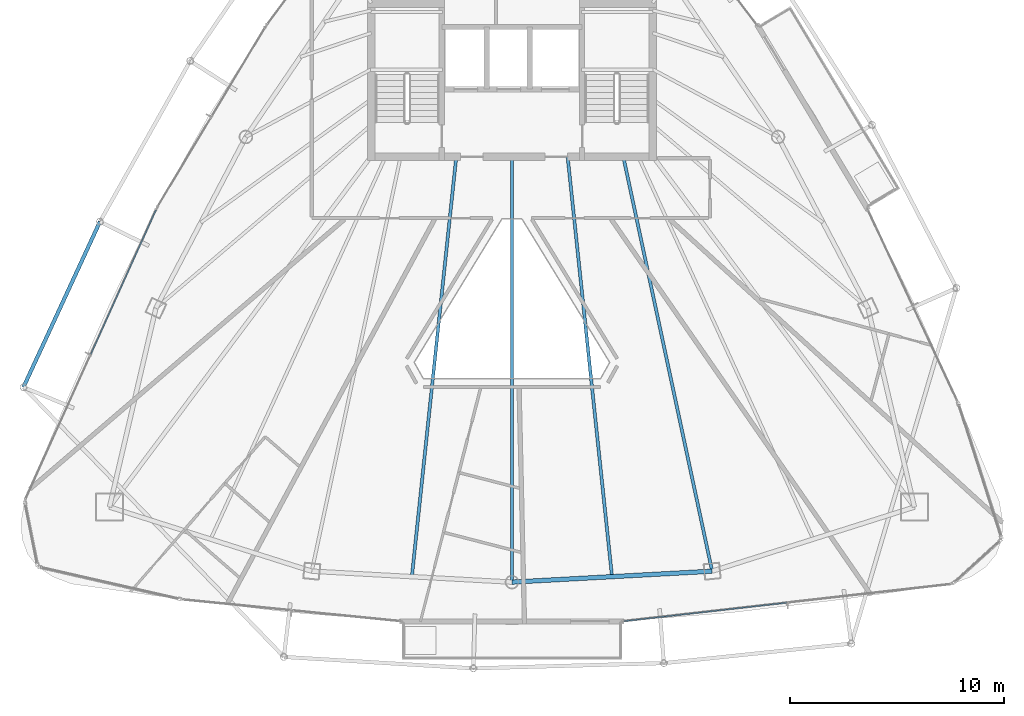
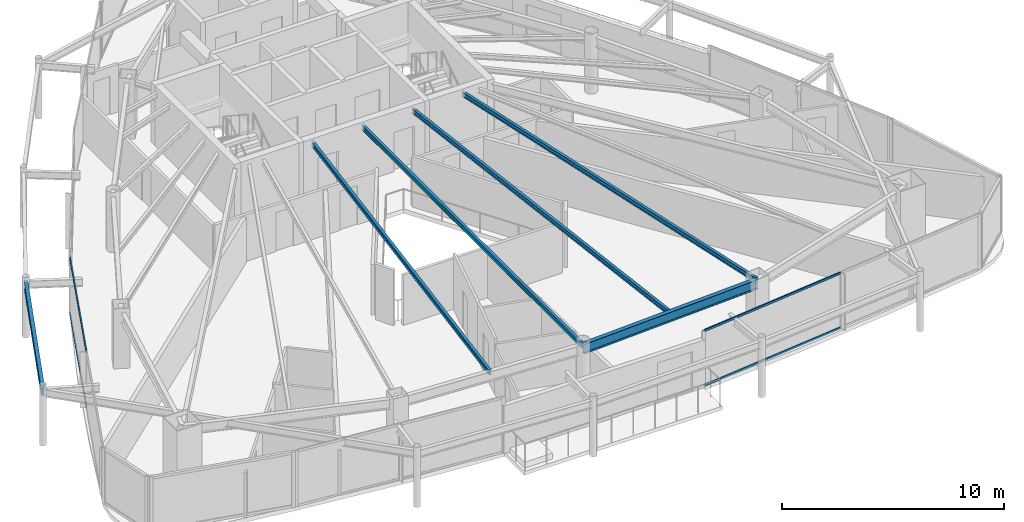
# One storey, part 9 of 30: 6 beams, 4 members, 2 elements without a shape of their own.
"""IFC4 building model written with IfcOpenShell, lengths in metres."""

import ifcopenshell
import ifcopenshell.guid

model = None  # the IFC model being written
_history = None  # IfcOwnerHistory: only IFC2X3 demands one
_inside = {}  # id of a spatial element -> (the spatial element, [elements in it])
_under = {}  # id of a project, library or spatial element -> (it, [spatial elements below it])
_declared = {}  # id of a project -> (the project, [libraries it declares])
_typed = {}  # id of a type object -> (the type object, [elements of that type])
_made_of = {}  # id of a material, layer set ... -> (it, [elements and type objects made of it])


def new_model(schema):
    """Start an empty IFC model of exactly this schema.

    Asked for "IFC4X3", IfcOpenShell would pick the latest addendum, in which some entities
    have other attributes; the version numbers below select the first issue.
    IFC2X3 requires an IfcOwnerHistory on every rooted entity: one is made here for all.
    """
    global model, _history
    if schema == "IFC4X3":
        model = ifcopenshell.file(schema_version=(4, 3, 0, 0))
    else:
        model = ifcopenshell.file(schema=schema)
    _inside.clear()
    _under.clear()
    _declared.clear()
    _typed.clear()
    _made_of.clear()
    _history = None
    if model.schema == "IFC2X3":
        org = make("IfcOrganization", Name="unknown")
        user = make(
            "IfcPersonAndOrganization",
            ThePerson=make("IfcPerson", FamilyName="unknown"),
            TheOrganization=org,
        )
        app = make(
            "IfcApplication",
            ApplicationDeveloper=org,
            Version="unknown",
            ApplicationFullName="unknown",
            ApplicationIdentifier="unknown",
        )
        _history = make(
            "IfcOwnerHistory",
            OwningUser=user,
            OwningApplication=app,
            ChangeAction="ADDED",
            CreationDate=0,
        )
    return model


def make(cls, **values):
    """One entity of the class cls with the attributes given. An attribute that is None is left unset."""
    return model.create_entity(
        cls, **{name: value for name, value in values.items() if value is not None}
    )


def rooted(cls, **values):
    """An entity with a GlobalId (a new one), such as an element, a storey or a relation."""
    return make(cls, GlobalId=ifcopenshell.guid.new(), OwnerHistory=_history, **values)


def si_unit(unit_type, name, prefix=None):
    """IfcSIUnit, for example si_unit("LENGTHUNIT", "METRE", prefix="MILLI")."""
    return make("IfcSIUnit", UnitType=unit_type, Prefix=prefix, Name=name)


def assignment(units):
    """IfcUnitAssignment: the units of a project."""
    return None if units is None else make("IfcUnitAssignment", Units=units)


def point(xyz):
    """IfcCartesianPoint."""
    return None if xyz is None else make("IfcCartesianPoint", Coordinates=xyz)


def direction(xyz):
    """IfcDirection."""
    return None if xyz is None else make("IfcDirection", DirectionRatios=xyz)


def frame(location, z_axis=None, x_axis=None):
    """IfcAxis2Placement3D, a coordinate frame: its origin and axes. An axis left out is left unset."""
    return make(
        "IfcAxis2Placement3D",
        Location=point(location),
        Axis=direction(z_axis),
        RefDirection=direction(x_axis),
    )


def frame_2d(location, x_axis=None):
    """IfcAxis2Placement2D, a coordinate frame in the plane: its origin and x axis."""
    return make(
        "IfcAxis2Placement2D", Location=point(location), RefDirection=direction(x_axis)
    )


def origin():
    """The frame at (0, 0, 0) with its axes left unset."""
    return frame((0.0, 0.0, 0.0))


def origin_2d():
    """The frame at (0, 0) in the plane with its x axis left unset."""
    return frame_2d((0.0, 0.0))


def place(relative_to, where):
    """IfcLocalPlacement: puts the frame where relative to a parent placement (None: the world)."""
    return make(
        "IfcLocalPlacement", PlacementRelTo=relative_to, RelativePlacement=where
    )


def context(
    kind, dimensions, precision=None, world=None, true_north=None, identifier=None
):
    """IfcGeometricRepresentationContext, for example the 3D "Model" context."""
    return make(
        "IfcGeometricRepresentationContext",
        ContextIdentifier=identifier,
        ContextType=kind,
        CoordinateSpaceDimension=dimensions,
        Precision=precision,
        WorldCoordinateSystem=world,
        TrueNorth=true_north,
    )


def subcontext(parent, identifier, kind, view, scale=None):
    """IfcGeometricRepresentationSubContext, for example "Body" below "Model"."""
    return make(
        "IfcGeometricRepresentationSubContext",
        ContextIdentifier=identifier,
        ContextType=kind,
        ParentContext=parent,
        TargetScale=scale,
        TargetView=view,
    )


def project(units=None, contexts=None):
    """IfcProject with its units and contexts."""
    return rooted(
        "IfcProject",
        Name="project",
        RepresentationContexts=contexts,
        UnitsInContext=assignment(units),
    )


def spatial(cls, under=None, at=None, **own):
    """A site, building, storey or space (cls), placed at a placement, below another one or the project."""
    s = rooted(cls, ObjectPlacement=at, **own)
    if under is not None:
        _under.setdefault(under.id(), (under, []))[1].append(s)
    return s


def profile(cls, at=None, kind="AREA", **sizes):
    """A parametric profile (cls). Its sizes go by their IFC names, for example OverallWidth=200.0."""
    return make(cls, ProfileType=kind, Position=at, **sizes)


def hollow_rectangle(**sizes):
    """IfcRectangleHollowProfileDef."""
    return profile("IfcRectangleHollowProfileDef", **sizes)


def i_section(**sizes):
    """IfcIShapeProfileDef."""
    return profile("IfcIShapeProfileDef", **sizes)


def extrude(swept, where, along, depth):
    """IfcExtrudedAreaSolid: the profile swept, set in the frame where, extruded along a direction by depth."""
    return make(
        "IfcExtrudedAreaSolid",
        SweptArea=swept,
        Position=where,
        ExtrudedDirection=direction(along),
        Depth=depth,
    )


def shape(context_of_items, identifier, shape_type, items):
    """IfcShapeRepresentation: the items that make up one representation, for example the "Body"."""
    return make(
        "IfcShapeRepresentation",
        ContextOfItems=context_of_items,
        RepresentationIdentifier=identifier,
        RepresentationType=shape_type,
        Items=items,
    )


def material(Name=None, Category=None):
    """IfcMaterial."""
    return make("IfcMaterial", Name=Name, Category=Category)


def layer(
    of_material, thickness, ventilated=None, Name=None, Category=None, Priority=None
):
    """IfcMaterialLayer: one layer of a wall or slab, of a material (None: an air gap)."""
    return make(
        "IfcMaterialLayer",
        Material=of_material,
        LayerThickness=thickness,
        IsVentilated=ventilated,
        Name=Name,
        Category=Category,
        Priority=Priority,
    )


def layer_set(layers, Name=None):
    """IfcMaterialLayerSet."""
    return make("IfcMaterialLayerSet", MaterialLayers=layers, LayerSetName=Name)


def material_profile(
    of_material, cross_section, Name=None, Category=None, Priority=None
):
    """IfcMaterialProfile: a cross section and its material."""
    return make(
        "IfcMaterialProfile",
        Name=Name,
        Material=of_material,
        Profile=cross_section,
        Priority=Priority,
        Category=Category,
    )


def profile_set(profiles, Name=None, composite=None):
    """IfcMaterialProfileSet."""
    return make(
        "IfcMaterialProfileSet",
        Name=Name,
        MaterialProfiles=profiles,
        CompositeProfile=composite,
    )


def made_of(thing, what):
    """Note that an element or type object is made of a material, layer set ...; save() writes the relation."""
    if what is not None:
        _made_of.setdefault(what.id(), (what, []))[1].append(thing)
    return thing


def type_object(cls, material=None, **own):
    """A type object (cls), such as IfcWallType, which elements share."""
    return made_of(rooted(cls, **own), material)


def element(
    cls,
    number,
    at=None,
    inside=None,
    cuts=None,
    type_object=None,
    material=None,
    context=None,
    identifier="Body",
    shape_type=None,
    held_by="IfcProductDefinitionShape",
    body=None,
    shapes=None,
    **own,
):
    """One element of the class cls, such as IfcWall. Its Tag is "e" and its number.

    at: its placement. inside: the storey or other place that contains it. cuts: it is an
    opening in that element (IfcRelVoidsElement). A single representation is given by context,
    identifier, shape_type and body (its items); several are given by shapes. held_by: the class
    of the entity that holds the representations. save() writes the other relations.
    """
    e = rooted(cls, Tag="e%d" % number, ObjectPlacement=at, **own)
    if body is not None:
        shapes = [shape(context, identifier, shape_type, body)]
    if shapes is not None:
        e.Representation = make(held_by, Representations=shapes)
    if inside is not None:
        _inside.setdefault(inside.id(), (inside, []))[1].append(e)
    if cuts is not None:
        rooted(
            "IfcRelVoidsElement", RelatingBuildingElement=cuts, RelatedOpeningElement=e
        )
    if type_object is not None:
        _typed.setdefault(type_object.id(), (type_object, []))[1].append(e)
    return made_of(e, material)


def aggregate(whole, parts):
    """IfcRelAggregates: a whole, such as a stair, and the parts it consists of."""
    return rooted("IfcRelAggregates", RelatingObject=whole, RelatedObjects=parts)


def save(model, path):
    """Write the relations noted so far, then the file.

    IfcRelAggregates (storeys below a building ...), IfcRelContainedInSpatialStructure (elements
    in a storey), IfcRelDefinesByType, IfcRelAssociatesMaterial and IfcRelDeclares: one each for
    every whole, place, type object, material and project.
    """
    for whole, parts in _under.values():
        aggregate(whole, parts)
    for where, things in _inside.values():
        rooted(
            "IfcRelContainedInSpatialStructure",
            RelatedElements=things,
            RelatingStructure=where,
        )
    for kind, things in _typed.values():
        rooted("IfcRelDefinesByType", RelatedObjects=things, RelatingType=kind)
    for what, things in _made_of.values():
        rooted("IfcRelAssociatesMaterial", RelatedObjects=things, RelatingMaterial=what)
    for by, libraries in _declared.values():
        rooted("IfcRelDeclares", RelatingContext=by, RelatedDefinitions=libraries)
    model.write(path)


model = new_model("IFC4")

# Units and contexts
model_context = context("Model", 3, precision=1e-05, world=origin(), true_north=direction((0.0, 1.0)))
body_context = subcontext(model_context, "Body", "Model", "MODEL_VIEW")
ifc_project = project(units=[si_unit("LENGTHUNIT", "METRE"), si_unit("AREAUNIT", "SQUARE_METRE"), si_unit("VOLUMEUNIT", "CUBIC_METRE"), si_unit("PLANEANGLEUNIT", "RADIAN"), si_unit("MASSUNIT", "GRAM", prefix="KILO")], contexts=[model_context])

# Site, building, storey
site_placement = place(None, origin())
site = spatial("IfcSite", under=ifc_project, at=site_placement, CompositionType="ELEMENT")
building_placement = place(site_placement, origin())
building = spatial("IfcBuilding", under=site, at=building_placement, Name="Orvanel Arch Residences", CompositionType="ELEMENT")
storey_placement = place(building_placement, frame((0.0, 0.0, 229.39990234375)))
storey = spatial("IfcBuildingStorey", under=building, at=storey_placement, Name="L65", CompositionType="ELEMENT", Elevation=229.39990234375)

# Beams
ifc_material_1 = material(Name="Structural steel AS/NZS 3679.1 Grade 300 (300 MPa)", Category="steel")
ifc_material_profile_1 = material_profile(ifc_material_1, i_section(OverallWidth=0.14599609375, OverallDepth=0.251953125, WebThickness=0.006103515625, FlangeThickness=0.008544921875, at=origin_2d()), Name="250UB31.4")
ifc_profile_set_1 = profile_set([ifc_material_profile_1], Name="Structural steel AS/NZS 3679.1 Grade 300 (300 MPa)")
beam_type_1 = type_object("IfcBeamType", Name="BJ-250UB", PredefinedType="JOIST", material=ifc_profile_set_1)
beam_1_placement = place(storey_placement, frame((38.199951171875, 26.72509765625, 2.93408203125), z_axis=(0.209547604985, -0.977798446125, 0.0), x_axis=(0.977798446125, 0.209547604985, 0.0)))
element("IfcBeam", 1, at=beam_1_placement, inside=storey, type_object=beam_type_1, Name="L65 SE Wing Floor Joist", PredefinedType="JOIST", context=body_context, shape_type="SweptSolid", body=[
    extrude(i_section(OverallWidth=0.14599609375, OverallDepth=0.251953125, WebThickness=0.006103515625, FlangeThickness=0.008544921875, at=origin_2d()), origin(), (0.0, 0.0, 1.0), 19.809814453125),
])
beam_2_placement = place(storey_placement, frame((33.0, 26.72509765625, 2.93408203125), z_axis=(0.0, -1.0, 0.0), x_axis=(1.0, 0.0, 0.0)))
element("IfcBeam", 2, at=beam_2_placement, inside=storey, type_object=beam_type_1, Name="L65 SSW Wing Floor Joist", PredefinedType="JOIST", context=body_context, shape_type="SweptSolid", body=[
    extrude(i_section(OverallWidth=0.14599609375, OverallDepth=0.251953125, WebThickness=0.006103515625, FlangeThickness=0.008544921875, at=origin_2d()), origin(), (0.0, 0.0, 1.0), 19.881103515625),
])
for number, where, z_axis, x_axis, name in (
    (3, (30.39990234375, 26.72509765625, 2.93408203125), (-0.105143936131, -0.994457014, 0.0), (0.994457014, -0.105143936131, 0.0), "L65 WSW2 Wing Floor Joist"),
    (4, (35.60009765625, 26.72509765625, 2.93408203125), (0.105143936131, -0.994457014, 0.0), (0.994457014, 0.105143936131, 0.0), "L65 ESE2 Wing Floor Joist"),
):
    element("IfcBeam", number, at=place(storey_placement, frame(where, z_axis=z_axis, x_axis=x_axis)), inside=storey, type_object=beam_type_1, Name=name, PredefinedType="JOIST", context=body_context, shape_type="SweptSolid", body=[
        extrude(i_section(OverallWidth=0.14599609375, OverallDepth=0.251953125, WebThickness=0.006103515625, FlangeThickness=0.008544921875, at=origin_2d()), origin(), (0.0, 0.0, 1.0), 19.734375),
    ])
ifc_material_profile_2 = material_profile(ifc_material_1, i_section(OverallWidth=0.177978515625, OverallDepth=0.406005859375, WebThickness=0.0078125, FlangeThickness=0.0126953125, at=origin_2d()), Name="410UB59.7")
ifc_profile_set_2 = profile_set([ifc_material_profile_2], Name="Structural steel AS/NZS 3679.1 Grade 300 (300 MPa)")
beam_type_2 = type_object("IfcBeamType", Name="OB-410UB-EXT", PredefinedType="SPANDREL", material=ifc_profile_set_2)
beam_3_placement = place(storey_placement, frame((13.751953125, 23.681884765625, 2.857177734375), z_axis=(-0.419434455083, -0.907785623311, 0.0), x_axis=(0.907785623311, -0.419434455083, 0.0)))
element("IfcBeam", 5, at=beam_3_placement, inside=storey, type_object=beam_type_2, Name="L65 Outer Perimeter Floor Ring Beam 03", PredefinedType="SPANDREL", context=body_context, shape_type="SweptSolid", body=[
    extrude(i_section(OverallWidth=0.177978515625, OverallDepth=0.406005859375, WebThickness=0.0078125, FlangeThickness=0.0126953125, at=origin_2d()), origin(), (0.0, 0.0, 1.0), 8.516357421875),
])
ifc_material_profile_3 = material_profile(ifc_material_1, i_section(OverallWidth=0.208984375, OverallDepth=0.532958984375, WebThickness=0.01025390625, FlangeThickness=0.015625, at=origin_2d()), Name="530UB92.4")
ifc_profile_set_3 = profile_set([ifc_material_profile_3], Name="Structural steel AS/NZS 3679.1 Grade 300 (300 MPa)")
beam_type_3 = type_object("IfcBeamType", Name="SP-530UB", PredefinedType="SPANDREL", material=ifc_profile_set_3)
beam_4_placement = place(storey_placement, frame((33.0, 6.843994140625, 2.794189453125), z_axis=(0.998510315598, 0.054563262768, 0.0), x_axis=(-0.054563262768, 0.998510315598, 0.0)))
element("IfcBeam", 6, at=beam_4_placement, inside=storey, type_object=beam_type_3, Name="L65 Perimeter Spandrel Beam 04", PredefinedType="SPANDREL", context=body_context, shape_type="SweptSolid", body=[
    extrude(i_section(OverallWidth=0.208984375, OverallDepth=0.532958984375, WebThickness=0.01025390625, FlangeThickness=0.015625, at=origin_2d()), origin(), (0.0, 0.0, 1.0), 9.364990234375),
])

# Curtain wall, members
ifc_material_2 = material(Name="Bronze-anodised aluminium AA6063-T6", Category="aluminium")
ifc_layer = layer(ifc_material_2, 0.175048828125)
ifc_layer_set = layer_set([ifc_layer], Name="Bronze-anodised aluminium AA6063-T6")
curtain_wall_type = type_object("IfcCurtainWallType", Name="CW4-HI-SYS", PredefinedType="NOTDEFINED", material=ifc_layer_set)
curtain_wall_1_placement = place(storey_placement, origin())
curtain_wall_1 = element("IfcCurtainWall", 7, at=curtain_wall_1_placement, inside=storey, type_object=curtain_wall_type, Name="L65 CW4-HI-SYS Unitised Curtain Wall", PredefinedType="NOTDEFINED")
ifc_material_profile_4 = material_profile(ifc_material_2, hollow_rectangle(XDim=0.06005859375, YDim=0.1201171875, WallThickness=0.00341796875, at=origin_2d()), Name="ALU120x60x3.5")
ifc_profile_set_4 = profile_set([ifc_material_profile_4], Name="Bronze-anodised aluminium AA6063-T6")
member_type = type_object("IfcMemberType", Name="TRN-120x60", PredefinedType="USERDEFINED", material=ifc_profile_set_4)
member_1_placement = place(storey_placement, frame((16.3671875, 24.230712890625, 0.030029296875), z_axis=(-0.411121754868, -0.91158044224, 0.0), x_axis=(0.91158044224, -0.411121754868, 0.0)))
member_1 = element("IfcMember", 8, at=member_1_placement, type_object=member_type, Name="CW-S4 transom 1.1", ObjectType="TRANSOM", PredefinedType="USERDEFINED", context=body_context, shape_type="SweptSolid", body=[
    extrude(hollow_rectangle(XDim=0.06005859375, YDim=0.1201171875, WallThickness=0.00341796875, at=origin_2d()), origin(), (0.0, 0.0, 1.0), 7.38671875),
])
member_2_placement = place(storey_placement, frame((16.3671875, 24.230712890625, 3.030029296875), z_axis=(-0.411121754868, -0.91158044224, 0.0), x_axis=(0.91158044224, -0.411121754868, 0.0)))
member_2 = element("IfcMember", 9, at=member_2_placement, type_object=member_type, Name="CW-S4 transom 1.2", ObjectType="TRANSOM", PredefinedType="USERDEFINED", context=body_context, shape_type="SweptSolid", body=[
    extrude(hollow_rectangle(XDim=0.06005859375, YDim=0.1201171875, WallThickness=0.00341796875, at=origin_2d()), origin(), (0.0, 0.0, 1.0), 7.38671875),
])
aggregate(curtain_wall_1, [member_1, member_2])

curtain_wall_2_placement = place(storey_placement, origin())
curtain_wall_2 = element("IfcCurtainWall", 10, at=curtain_wall_2_placement, inside=storey, type_object=curtain_wall_type, Name="L65 CW4-HI-SYS Unitised Curtain Wall", PredefinedType="NOTDEFINED")
member_3_placement = place(storey_placement, frame((38.228515625, 5.020263671875, 0.030029296875), z_axis=(0.993641990336, 0.112585945127, 0.0), x_axis=(-0.112585945127, 0.993641990336, 0.0)))
member_3 = element("IfcMember", 11, at=member_3_placement, type_object=member_type, Name="CW-S4 transom 1.1", ObjectType="TRANSOM", PredefinedType="USERDEFINED", context=body_context, shape_type="SweptSolid", body=[
    extrude(hollow_rectangle(XDim=0.06005859375, YDim=0.1201171875, WallThickness=0.00341796875, at=origin_2d()), origin(), (0.0, 0.0, 1.0), 7.648193359375),
])
member_4_placement = place(storey_placement, frame((38.228515625, 5.020263671875, 3.030029296875), z_axis=(0.993641990336, 0.112585945127, 0.0), x_axis=(-0.112585945127, 0.993641990336, 0.0)))
member_4 = element("IfcMember", 12, at=member_4_placement, type_object=member_type, Name="CW-S4 transom 1.2", ObjectType="TRANSOM", PredefinedType="USERDEFINED", context=body_context, shape_type="SweptSolid", body=[
    extrude(hollow_rectangle(XDim=0.06005859375, YDim=0.1201171875, WallThickness=0.00341796875, at=origin_2d()), origin(), (0.0, 0.0, 1.0), 7.648193359375),
])
aggregate(curtain_wall_2, [member_3, member_4])

save(model, "model.ifc")
